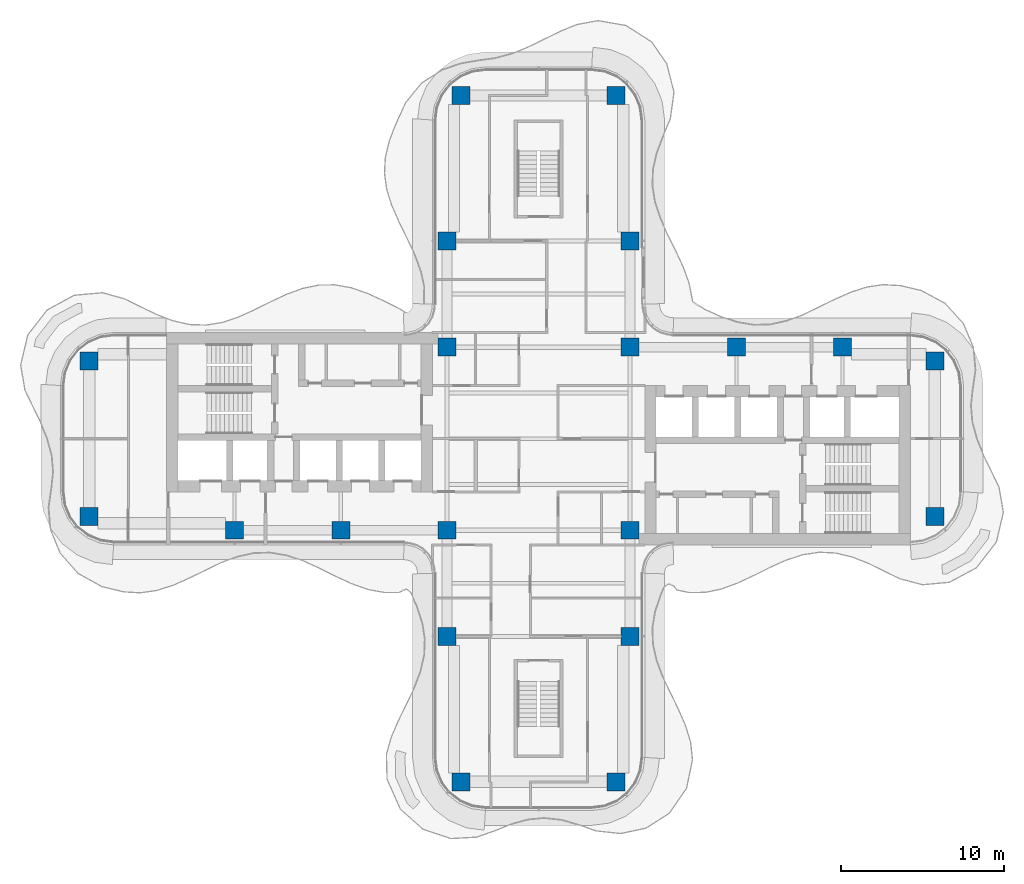
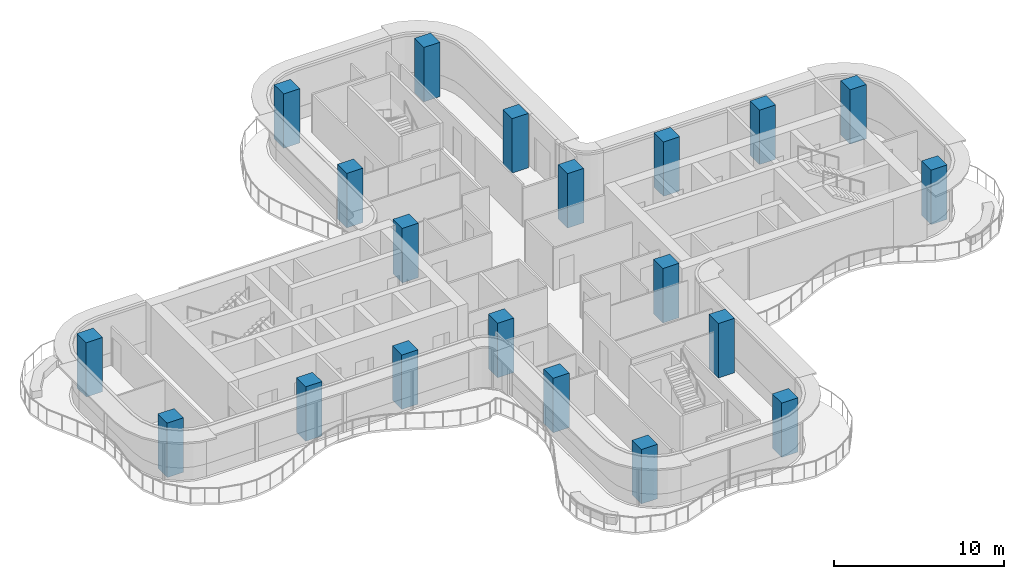
# One storey, part 1 of 16: 20 columns.
"""IFC4 building model written with IfcOpenShell, lengths in metres."""

from ifc_helpers import new_model, si_unit, direction, frame, origin, origin_2d, place, context, subcontext, project, spatial, rectangle, extrude, source, transform, mapped, material, material_profile, profile_set, type_object, element, save


model = new_model("IFC4")

# Units and contexts
model_context = context("Model", 3, precision=1e-05, world=origin(), true_north=direction((0.0, 1.0)))
body_context = subcontext(model_context, "Body", "Model", "MODEL_VIEW")
ifc_project = project(units=[si_unit("LENGTHUNIT", "METRE"), si_unit("AREAUNIT", "SQUARE_METRE"), si_unit("VOLUMEUNIT", "CUBIC_METRE"), si_unit("PLANEANGLEUNIT", "RADIAN"), si_unit("MASSUNIT", "GRAM", prefix="KILO")], contexts=[model_context])

# Site, building, storey
site_placement = place(None, origin())
site = spatial("IfcSite", under=ifc_project, at=site_placement, CompositionType="ELEMENT")
building_placement = place(site_placement, origin())
building = spatial("IfcBuilding", under=site, at=building_placement, Name="Trellis Farm Tower", CompositionType="ELEMENT")
storey_placement = place(building_placement, frame((0.0, 0.0, 263.60009765625)))
storey = spatial("IfcBuildingStorey", under=building, at=storey_placement, Name="L59", CompositionType="ELEMENT", Elevation=263.60009765625)

# Columns
ifc_material = material(Name="Concrete C60/75", Category="concrete")
ifc_material_profile = material_profile(ifc_material, rectangle(XDim=1.10009765625, YDim=1.10009765625, at=origin_2d()), Name="RC column 1100x1100 C60/75")
ifc_profile_set = profile_set([ifc_material_profile], Name="Concrete C60/75")
column_type = type_object("IfcColumnType", Name="RC column 1100x1100 C60/75", PredefinedType="COLUMN", material=ifc_profile_set)
shared_shape = source(origin(), body_context, "Body", "SweptSolid", [
    extrude(rectangle(XDim=1.10009765625, YDim=1.10009765625, at=origin_2d()), origin(), (0.0, 0.0, 1.0), 3.89990234375),
])
for number, where, z_axis, x_axis, name in (
    (1, (12.10009765625, 5.60009765625, 0.0), (0.0, 0.0, 1.0), (1.0, 0.0, 0.0), "Column"),
    (2, (18.60009765625, 5.60009765625, 0.0), (0.0, 0.0, 1.0), (1.0, 0.0, 0.0), "Column"),
    (3, (24.25, 4.75, 0.0), (0.0, 0.0, 1.0), (1.0, 0.0, 0.0), "Column"),
    (4, (24.25, -4.75, 0.0), (0.0, 0.0, 1.0), (1.0, 0.0, 0.0), "Column"),
    (5, (-5.60009765625, 12.10009765625, 0.0), (0.0, 0.0, 1.0), (1.0, 0.0, 0.0), "Column"),
    (6, (-4.75, 21.0, 0.0), (0.0, 0.0, 1.0), (1.0, 0.0, 0.0), "Column"),
    (7, (5.60009765625, 12.10009765625, 0.0), (0.0, 0.0, 1.0), (1.0, 0.0, 0.0), "Column"),
    (8, (4.75, 21.0, 0.0), (0.0, 0.0, 1.0), (1.0, 0.0, 0.0), "Column"),
    (9, (5.60009765625, 5.60009765625, 0.0), (0.0, 0.0, 1.0), (1.0, 0.0, 0.0), "Column"),
    (10, (-5.60009765625, 5.60009765625, 0.0), (0.0, 0.0, 1.0), (1.0, 0.0, 0.0), "Column"),
    (11, (5.60009765625, -5.60009765625, 0.0), (0.0, 0.0, 1.0), (1.0, 0.0, 0.0), "Column"),
    (12, (-5.60009765625, -5.60009765625, 0.0), (0.0, 0.0, 1.0), (1.0, 0.0, 0.0), "Column"),
    (13, (5.60009765625, -12.10009765625, 0.0), (0.0, 0.0, 1.0), (1.0, 0.0, 0.0), "Column"),
    (14, (4.75, -21.0, 0.0), (0.0, 0.0, 1.0), (1.0, 0.0, 0.0), "Column"),
    (15, (-5.60009765625, -12.10009765625, 0.0), (0.0, 0.0, 1.0), (1.0, 0.0, 0.0), "Column"),
    (16, (-4.75, -21.0, 0.0), (0.0, 0.0, 1.0), (1.0, 0.0, 0.0), "Column"),
    (17, (-12.10009765625, -5.60009765625, 0.0), (0.0, 0.0, 1.0), (1.0, 0.0, 0.0), "Column"),
    (18, (-18.60009765625, -5.60009765625, 0.0), (0.0, 0.0, 1.0), (1.0, 0.0, 0.0), "Column"),
    (19, (-27.5, -4.75, 0.0), (0.0, 0.0, 1.0), (1.0, 0.0, 0.0), "Column"),
    (20, (-27.5, 4.75, 0.0), (0.0, 0.0, 1.0), (1.0, 0.0, 0.0), "Column"),
):
    element("IfcColumn", number, at=place(storey_placement, frame(where, z_axis=z_axis, x_axis=x_axis)), inside=storey, type_object=column_type, Name=name, PredefinedType="COLUMN", context=body_context, shape_type="MappedRepresentation", body=[
        mapped(shared_shape, transform((0.0, 0.0, 0.0))),
    ])

save(model, "model.ifc")
